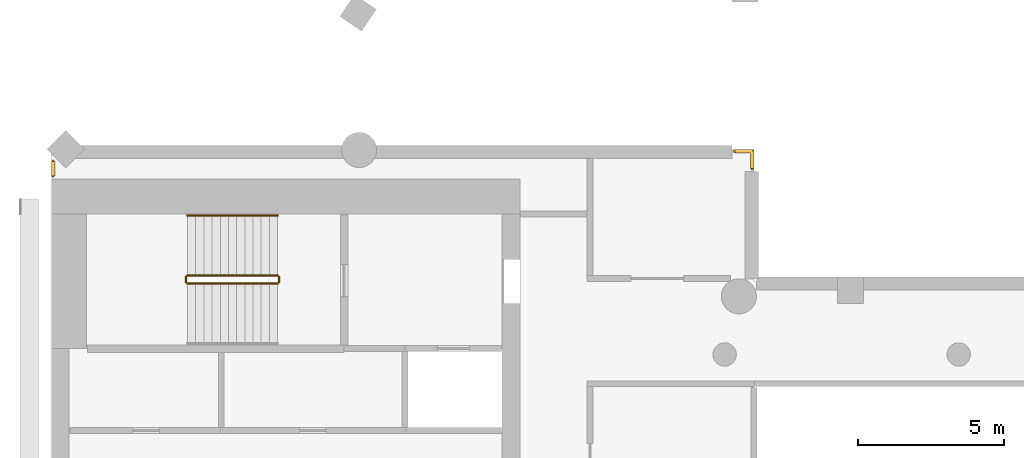
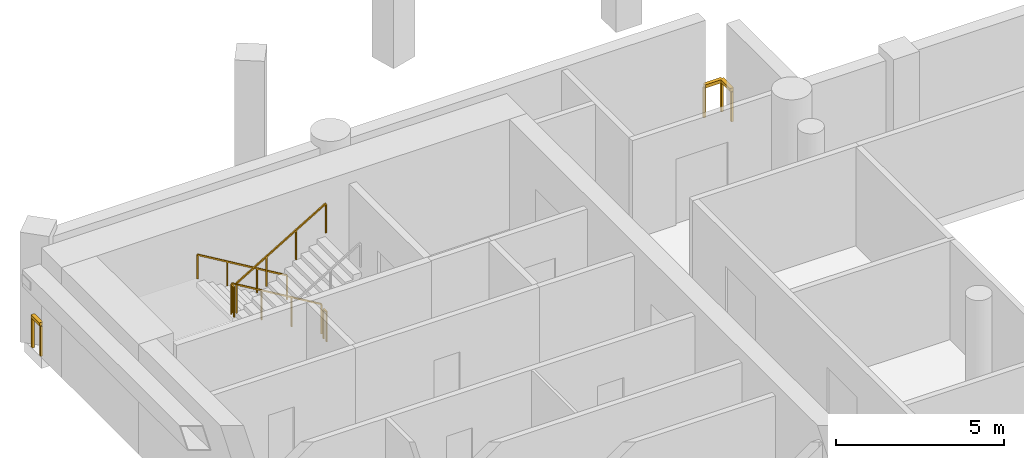
# One storey, part 8 of 9: 7 railings.
"""IFC4 building model written with IfcOpenShell, lengths in metres."""

from ifc_helpers import new_model, si_unit, direction, frame, origin, origin_2d, place, context, subcontext, project, spatial, rectangle, extrude, material, type_object, element, save


model = new_model("IFC4")

# Units and contexts
model_context = context("Model", 3, precision=1e-05, world=origin(), true_north=direction((0.0, 1.0)))
body_context = subcontext(model_context, "Body", "Model", "MODEL_VIEW")
ifc_project = project(units=[si_unit("LENGTHUNIT", "METRE"), si_unit("AREAUNIT", "SQUARE_METRE"), si_unit("VOLUMEUNIT", "CUBIC_METRE"), si_unit("PLANEANGLEUNIT", "RADIAN"), si_unit("MASSUNIT", "GRAM", prefix="KILO")], contexts=[model_context])

# Site, building, storey
site_placement = place(None, origin())
site = spatial("IfcSite", under=ifc_project, at=site_placement, CompositionType="ELEMENT")
building_placement = place(site_placement, origin())
building = spatial("IfcBuilding", under=site, at=building_placement, Name="Cypress Arch Tower", CompositionType="ELEMENT")
storey_placement = place(building_placement, frame((0.0, 0.0, 335.0)))
storey = spatial("IfcBuildingStorey", under=building, at=storey_placement, Name="L76", CompositionType="ELEMENT", Elevation=335.0)

# Railings
ifc_material_1 = material(Name="Stainless steel posts and handrail, laminated glass infill", Category="steel")
railing_type_1 = type_object("IfcRailingType", Name="Deck guard GR1200D", PredefinedType="GUARDRAIL", material=ifc_material_1)
railing_1_placement = place(storey_placement, frame((-29.949951171875, 16.10009765625, 0.0)))
element("IfcRailing", 1, at=railing_1_placement, inside=storey, type_object=railing_type_1, Name="Crown edge guard L76 2", PredefinedType="GUARDRAIL", context=body_context, shape_type="SweptSolid", body=[
    extrude(rectangle(XDim=0.1201171875, YDim=0.1201171875, at=origin_2d()), frame((0.0, 0.0, 1.139892578125), z_axis=(0.0, 1.0, 0.0), x_axis=(-1.0, 0.0, 0.0)), (0.0, 0.0, 1.0), 0.50244140625),
    extrude(rectangle(XDim=0.080078125, YDim=0.080078125, at=origin_2d()), origin(), (0.0, 0.0, 1.0), 1.079833984375),
    extrude(rectangle(XDim=0.080078125, YDim=0.080078125, at=origin_2d()), frame((0.0, 0.50244140625, 0.0)), (0.0, 0.0, 1.0), 1.079833984375),
])
railing_2_placement = place(storey_placement, frame((-6.64990234375, 16.949951171875, 0.0)))
element("IfcRailing", 2, at=railing_2_placement, inside=storey, type_object=railing_type_1, Name="Crown edge guard L76 3", PredefinedType="GUARDRAIL", context=body_context, shape_type="SweptSolid", body=[
    extrude(rectangle(XDim=0.1201171875, YDim=0.1201171875, at=origin_2d()), frame((0.0, 0.0, 1.139892578125), z_axis=(1.0, 0.0, 0.0), x_axis=(0.0, 1.0, 0.0)), (0.0, 0.0, 1.0), 0.599853515625),
    extrude(rectangle(XDim=0.1201171875, YDim=0.1201171875, at=origin_2d()), frame((0.599853515625, 0.0, 1.139892578125), z_axis=(0.0, -1.0, 0.0), x_axis=(1.0, 0.0, 0.0)), (0.0, 0.0, 1.0), 0.599853515625),
    extrude(rectangle(XDim=0.080078125, YDim=0.080078125, at=origin_2d()), origin(), (0.0, 0.0, 1.0), 1.079833984375),
    extrude(rectangle(XDim=0.080078125, YDim=0.080078125, at=origin_2d()), frame((0.599853515625, 0.0, 0.0)), (0.0, 0.0, 1.0), 1.079833984375),
    extrude(rectangle(XDim=0.080078125, YDim=0.080078125, at=origin_2d()), frame((0.599853515625, -0.599853515625, 0.0)), (0.0, 0.0, 1.0), 1.079833984375),
])
ifc_material_2 = material(Name="Black powder-coated steel square bar 48 mm", Category="steel")
railing_type_2 = type_object("IfcRailingType", Name="Stair handrail HR1", PredefinedType="HANDRAIL", material=ifc_material_2)
railing_3_placement = place(storey_placement, frame((-22.27490234375, 14.75, 0.166748046875)))
element("IfcRailing", 3, at=railing_3_placement, inside=storey, type_object=railing_type_2, Name="L76 B stair handrail 1", PredefinedType="HANDRAIL", context=body_context, shape_type="SweptSolid", body=[
    extrude(rectangle(XDim=0.048095703125, YDim=0.048095703125, at=origin_2d()), frame((0.0, 0.0, 0.8759765625), z_axis=(-0.859308565015, 0.0, 0.511457515432), x_axis=(0.0, -1.0, 0.0)), (0.0, 0.0, 1.0), 3.58447265625),
    extrude(rectangle(XDim=0.0419921875, YDim=0.0419921875, at=origin_2d()), origin(), (0.0, 0.0, 1.0), 0.851806640625),
    extrude(rectangle(XDim=0.0419921875, YDim=0.0419921875, at=origin_2d()), frame((-1.026611328125, 0.0, 0.611083984375)), (0.0, 0.0, 1.0), 0.851806640625),
    extrude(rectangle(XDim=0.0419921875, YDim=0.0419921875, at=origin_2d()), frame((-2.053466796875, 0.0, 1.22216796875)), (0.0, 0.0, 1.0), 0.851806640625),
    extrude(rectangle(XDim=0.0419921875, YDim=0.0419921875, at=origin_2d()), frame((-3.080078125, 0.0, 1.833251953125)), (0.0, 0.0, 1.0), 0.851806640625),
])
ifc_material_3 = material(Name="Black powder-coated steel balusters", Category="steel")
railing_type_3 = type_object("IfcRailingType", Name="Stair well guard G1", PredefinedType="GUARDRAIL", material=ifc_material_3)
railing_4_placement = place(storey_placement, frame((-22.27490234375, 12.699951171875, 0.166748046875)))
element("IfcRailing", 4, at=railing_4_placement, inside=storey, type_object=railing_type_3, Name="L76 B stair guard 1", PredefinedType="GUARDRAIL", context=body_context, shape_type="SweptSolid", body=[
    extrude(rectangle(XDim=0.048095703125, YDim=0.048095703125, at=origin_2d()), frame((0.0, 0.0, 1.076171875), z_axis=(-0.859308565015, 0.0, 0.511457515432), x_axis=(0.0, -1.0, 0.0)), (0.0, 0.0, 1.0), 3.58447265625),
    extrude(rectangle(XDim=0.0419921875, YDim=0.0419921875, at=origin_2d()), origin(), (0.0, 0.0, 1.0), 1.052001953125),
    extrude(rectangle(XDim=0.0419921875, YDim=0.0419921875, at=origin_2d()), frame((-1.026611328125, 0.0, 0.611083984375)), (0.0, 0.0, 1.0), 1.052001953125),
    extrude(rectangle(XDim=0.0419921875, YDim=0.0419921875, at=origin_2d()), frame((-2.053466796875, 0.0, 1.22216796875)), (0.0, 0.0, 1.0), 1.052001953125),
    extrude(rectangle(XDim=0.0419921875, YDim=0.0419921875, at=origin_2d()), frame((-3.080078125, 0.0, 1.833251953125)), (0.0, 0.0, 1.0), 1.052001953125),
])
railing_5_placement = place(storey_placement, frame((-25.405029296875, 12.64990234375, 2.0)))
element("IfcRailing", 5, at=railing_5_placement, inside=storey, type_object=railing_type_3, Name="L76 B stair guard 2", PredefinedType="GUARDRAIL", context=body_context, shape_type="SweptSolid", body=[
    extrude(rectangle(XDim=0.048095703125, YDim=0.048095703125, at=origin_2d()), frame((0.0, 0.0, 1.076171875), z_axis=(0.0, -1.0, 0.0), x_axis=(1.0, 0.0, 0.0)), (0.0, 0.0, 1.0), 0.1748046875),
    extrude(rectangle(XDim=0.0419921875, YDim=0.0419921875, at=origin_2d()), origin(), (0.0, 0.0, 1.0), 1.052001953125),
    extrude(rectangle(XDim=0.0419921875, YDim=0.0419921875, at=origin_2d()), frame((0.0, -0.1748046875, 0.0)), (0.0, 0.0, 1.0), 1.052001953125),
])
railing_6_placement = place(storey_placement, frame((-25.35498046875, 12.425048828125, 2.166748046875)))
element("IfcRailing", 6, at=railing_6_placement, inside=storey, type_object=railing_type_3, Name="L76 B stair guard 3", PredefinedType="GUARDRAIL", context=body_context, shape_type="SweptSolid", body=[
    extrude(rectangle(XDim=0.048095703125, YDim=0.048095703125, at=origin_2d()), frame((0.0, 0.0, 1.076171875), z_axis=(0.859308565015, 0.0, 0.511457515432), x_axis=(0.0, 1.0, 0.0)), (0.0, 0.0, 1.0), 3.58447265625),
    extrude(rectangle(XDim=0.0419921875, YDim=0.0419921875, at=origin_2d()), origin(), (0.0, 0.0, 1.0), 1.052001953125),
    extrude(rectangle(XDim=0.0419921875, YDim=0.0419921875, at=origin_2d()), frame((1.026611328125, 0.0, 0.611083984375)), (0.0, 0.0, 1.0), 1.052001953125),
    extrude(rectangle(XDim=0.0419921875, YDim=0.0419921875, at=origin_2d()), frame((2.053466796875, 0.0, 1.22216796875)), (0.0, 0.0, 1.0), 1.052001953125),
    extrude(rectangle(XDim=0.0419921875, YDim=0.0419921875, at=origin_2d()), frame((3.080078125, 0.0, 1.833251953125)), (0.0, 0.0, 1.0), 1.052001953125),
])
railing_7_placement = place(storey_placement, frame((-22.22509765625, 12.64990234375, 0.0)))
element("IfcRailing", 7, at=railing_7_placement, inside=storey, type_object=railing_type_3, Name="L76 B stair guard 4", PredefinedType="GUARDRAIL", context=body_context, shape_type="SweptSolid", body=[
    extrude(rectangle(XDim=0.048095703125, YDim=0.048095703125, at=origin_2d()), frame((0.0, 0.0, 1.076171875), z_axis=(0.0, -1.0, 0.0), x_axis=(1.0, 0.0, 0.0)), (0.0, 0.0, 1.0), 0.1748046875),
    extrude(rectangle(XDim=0.0419921875, YDim=0.0419921875, at=origin_2d()), origin(), (0.0, 0.0, 1.0), 1.052001953125),
    extrude(rectangle(XDim=0.0419921875, YDim=0.0419921875, at=origin_2d()), frame((0.0, -0.1748046875, 0.0)), (0.0, 0.0, 1.0), 1.052001953125),
])

save(model, "model.ifc")
